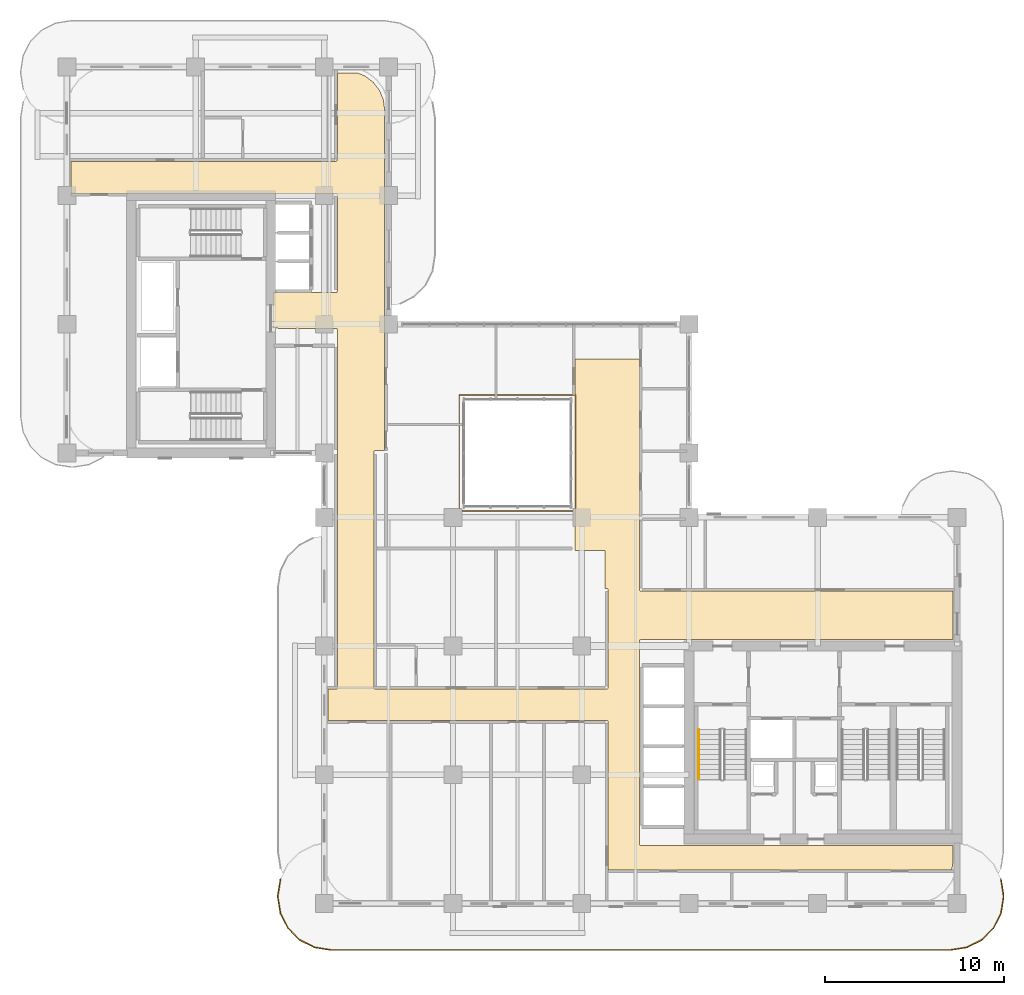
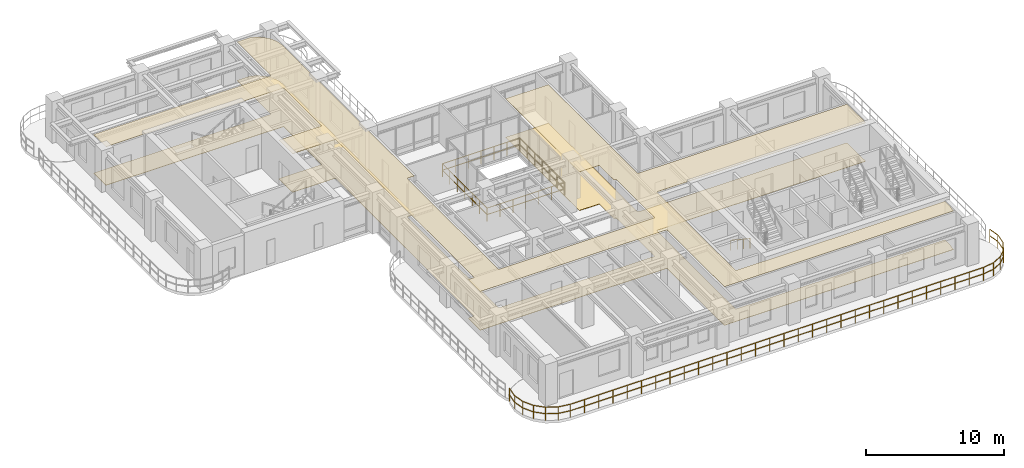
# One storey, part 18 of 20: 3 railings, 2 coverings.
"""IFC4 building model written with IfcOpenShell, lengths in metres."""

from ifc_helpers import new_model, si_unit, derived_unit, direction, frame, origin, origin_2d, place, context, subcontext, project, spatial, polyline, rectangle, outline, extrude, material, layer, layer_set, type_object, element, save


model = new_model("IFC4")

# Units and contexts
model_context = context("Model", 3, precision=1e-05, world=origin(), true_north=direction((0.0, 1.0)))
body_context = subcontext(model_context, "Body", "Model", "MODEL_VIEW")
ifc_project = project(units=[si_unit("LENGTHUNIT", "METRE"), si_unit("AREAUNIT", "SQUARE_METRE"), si_unit("VOLUMEUNIT", "CUBIC_METRE"), si_unit("PLANEANGLEUNIT", "RADIAN"), si_unit("MASSUNIT", "GRAM", prefix="KILO"), si_unit("THERMODYNAMICTEMPERATUREUNIT", "KELVIN"), si_unit("POWERUNIT", "WATT"), derived_unit("THERMALTRANSMITTANCEUNIT", [(si_unit("POWERUNIT", "WATT"), 1), (si_unit("AREAUNIT", "SQUARE_METRE"), -1), (si_unit("THERMODYNAMICTEMPERATUREUNIT", "KELVIN"), -1)])], contexts=[model_context])

# Site, building, storey
site_placement = place(None, origin())
site = spatial("IfcSite", under=ifc_project, at=site_placement, CompositionType="ELEMENT")
building_placement = place(site_placement, origin())
building = spatial("IfcBuilding", under=site, at=building_placement, Name="Zahravan Archway Hotel and Residences", CompositionType="ELEMENT")
storey_placement = place(building_placement, frame((0.0, 0.0, 137.699951171875)))
storey = spatial("IfcBuildingStorey", under=building, at=storey_placement, Name="L34", CompositionType="ELEMENT", Elevation=137.699951171875)

# Coverings
ifc_material_1 = material(Name="Perforated Acoustic Gypsum Ceiling")
ifc_layer_1 = layer(ifc_material_1, 0.02490234375, Name="Perforated Acoustic Gypsum Ceiling")
ifc_layer_set_1 = layer_set([ifc_layer_1], Name="Perforated Acoustic Gypsum Ceiling")
covering_type_1 = type_object("IfcCoveringType", Name="COV-CEIL-ACST", PredefinedType="CEILING", material=ifc_layer_set_1)
covering_1_placement = place(storey_placement, frame((0.0, 0.0, 3.425048828125)))
element("IfcCovering", 1, at=covering_1_placement, inside=storey, type_object=covering_type_1, Name="L34 Acoustic Corridor Ceiling", PredefinedType="CEILING", context=body_context, shape_type="SweptSolid", body=[
    extrude(outline(polyline([(32.08447265625, 14.75341796875), (32.04345703125, 14.731689453125), (32.021484375, 14.690673828125), (32.02001953125, 3.324951171875), (32.033447265625, 3.280517578125), (32.0693359375, 3.251220703125), (49.580078125, 3.2451171875), (49.580078125, 2.414306640625), (49.509521484375, 1.8798828125), (30.280029296875, 1.8798828125), (30.280029296875, 10.14990234375), (30.2666015625, 10.1943359375), (30.230712890625, 10.223876953125), (14.6201171875, 10.22998046875), (14.6201171875, 11.989990234375), (15.050048828125, 11.989990234375), (15.094482421875, 12.00341796875), (15.123779296875, 12.039306640625), (15.1298828125, 32.10009765625), (15.116455078125, 32.144287109375), (15.08056640625, 32.173828125), (11.530029296875, 32.179931640625), (11.530029296875, 34.169921875), (15.050048828125, 34.169921875), (15.094482421875, 34.18359375), (15.123779296875, 34.219482421875), (15.1298828125, 39.64990234375), (15.116455078125, 39.6943359375), (15.08056640625, 39.723876953125), (0.22998046875, 39.72998046875), (0.22998046875, 41.52001953125), (15.050048828125, 41.52001953125), (15.094482421875, 41.533447265625), (15.123779296875, 41.5693359375), (15.1298828125, 46.469970703125), (16.24560546875, 46.469970703125), (16.689208984375, 46.286376953125), (17.14013671875, 45.940185546875), (17.486328125, 45.489013671875), (17.703857421875, 44.9638671875), (17.77001953125, 44.46142578125), (17.77001953125, 25.330078125), (17.25, 25.330078125), (17.20556640625, 25.31640625), (17.176025390625, 25.280517578125), (17.169921875, 12.070068359375), (17.18359375, 12.025634765625), (17.219482421875, 11.99609375), (30.199951171875, 11.989990234375), (30.244384765625, 12.00341796875), (30.27392578125, 12.039306640625), (30.280029296875, 17.550048828125), (30.2666015625, 17.594482421875), (30.230712890625, 17.623779296875), (30.10009765625, 17.6298828125), (30.10009765625, 19.719970703125), (30.072998046875, 19.75), (28.429931640625, 19.75), (28.429931640625, 30.469970703125), (32.02001953125, 30.469970703125), (32.02001953125, 17.550048828125), (32.033447265625, 17.505615234375), (32.0693359375, 17.47607421875), (49.580078125, 17.469970703125), (49.580078125, 14.7548828125), (32.10009765625, 14.7548828125), (32.08447265625, 14.75341796875)])), origin(), (0.0, 0.0, 1.0), 0.02490234375),
])
ifc_material_2 = material(Name="Honed Margalla Limestone & Mortar Bed", Category="masonry")
ifc_layer_2 = layer(ifc_material_2, 0.030029296875, Name="Honed Margalla Limestone & Mortar Bed", Category="masonry")
ifc_layer_set_2 = layer_set([ifc_layer_2], Name="Honed Margalla Limestone & Mortar Bed")
covering_type_2 = type_object("IfcCoveringType", Name="COV-FLR-STONE", PredefinedType="FLOORING", material=ifc_layer_set_2)
covering_2_placement = place(storey_placement, origin())
element("IfcCovering", 2, at=covering_2_placement, inside=storey, type_object=covering_type_2, Name="L34 Circulation Floor Finish", PredefinedType="FLOORING", context=body_context, shape_type="SweptSolid", body=[
    extrude(outline(polyline([(32.08447265625, 14.75341796875), (32.04345703125, 14.731689453125), (32.021484375, 14.690673828125), (32.02001953125, 3.324951171875), (32.033447265625, 3.280517578125), (32.0693359375, 3.251220703125), (49.580078125, 3.2451171875), (49.580078125, 2.414306640625), (49.509521484375, 1.8798828125), (30.280029296875, 1.8798828125), (30.280029296875, 10.14990234375), (30.2666015625, 10.1943359375), (30.230712890625, 10.223876953125), (14.6201171875, 10.22998046875), (14.6201171875, 11.989990234375), (15.050048828125, 11.989990234375), (15.094482421875, 12.00341796875), (15.123779296875, 12.039306640625), (15.1298828125, 32.10009765625), (15.116455078125, 32.144287109375), (15.08056640625, 32.173828125), (11.530029296875, 32.179931640625), (11.530029296875, 34.169921875), (15.050048828125, 34.169921875), (15.094482421875, 34.18359375), (15.123779296875, 34.219482421875), (15.1298828125, 39.64990234375), (15.116455078125, 39.6943359375), (15.08056640625, 39.723876953125), (0.22998046875, 39.72998046875), (0.22998046875, 41.52001953125), (15.050048828125, 41.52001953125), (15.094482421875, 41.533447265625), (15.123779296875, 41.5693359375), (15.1298828125, 46.469970703125), (16.24560546875, 46.469970703125), (16.689208984375, 46.286376953125), (17.14013671875, 45.940185546875), (17.486328125, 45.489013671875), (17.703857421875, 44.9638671875), (17.77001953125, 44.46142578125), (17.77001953125, 25.330078125), (17.25, 25.330078125), (17.20556640625, 25.31640625), (17.176025390625, 25.280517578125), (17.169921875, 12.070068359375), (17.18359375, 12.025634765625), (17.219482421875, 11.99609375), (30.199951171875, 11.989990234375), (30.244384765625, 12.00341796875), (30.27392578125, 12.039306640625), (30.280029296875, 17.550048828125), (30.2666015625, 17.594482421875), (30.230712890625, 17.623779296875), (30.10009765625, 17.6298828125), (30.10009765625, 19.719970703125), (30.072998046875, 19.75), (28.429931640625, 19.75), (28.429931640625, 30.469970703125), (32.02001953125, 30.469970703125), (32.02001953125, 17.550048828125), (32.033447265625, 17.505615234375), (32.0693359375, 17.47607421875), (49.580078125, 17.469970703125), (49.580078125, 14.7548828125), (32.10009765625, 14.7548828125), (32.08447265625, 14.75341796875)])), origin(), (0.0, 0.0, 1.0), 0.030029296875),
])

# Railings
ifc_material_3 = material(Name="Atrium Laminated Glass Guardrail", Category="glass")
railing_type_1 = type_object("IfcRailingType", Name="RL-ATR-1200", PredefinedType="BALUSTRADE", material=ifc_material_3)
railing_1_placement = place(storey_placement, frame((21.949951171875, 21.949951171875, 0.0)))
element("IfcRailing", 3, at=railing_1_placement, inside=storey, type_object=railing_type_1, Name="L34 Balustrade RL-ATR-L34", PredefinedType="BALUSTRADE", context=body_context, shape_type="SweptSolid", body=[
    extrude(rectangle(XDim=0.048095703125, YDim=0.048095703125, at=origin_2d()), frame((0.0, 0.0, 1.17578125), z_axis=(1.0, 0.0, 0.0), x_axis=(0.0, 1.0, 0.0)), (0.0, 0.0, 1.0), 6.5),
    extrude(rectangle(XDim=0.048095703125, YDim=0.048095703125, at=origin_2d()), frame((0.0, 0.0, 0.60009765625), z_axis=(1.0, 0.0, 0.0), x_axis=(0.0, 1.0, 0.0)), (0.0, 0.0, 1.0), 6.5),
    extrude(rectangle(XDim=0.048095703125, YDim=0.048095703125, at=origin_2d()), frame((6.5, 0.0, 1.17578125), z_axis=(0.0, 1.0, 0.0), x_axis=(-1.0, 0.0, 0.0)), (0.0, 0.0, 1.0), 6.5),
    extrude(rectangle(XDim=0.048095703125, YDim=0.048095703125, at=origin_2d()), frame((6.5, 0.0, 0.60009765625), z_axis=(0.0, 1.0, 0.0), x_axis=(-1.0, 0.0, 0.0)), (0.0, 0.0, 1.0), 6.5),
    extrude(rectangle(XDim=0.048095703125, YDim=0.048095703125, at=origin_2d()), frame((6.5, 6.5, 1.17578125), z_axis=(-1.0, 0.0, 0.0), x_axis=(0.0, -1.0, 0.0)), (0.0, 0.0, 1.0), 6.5),
    extrude(rectangle(XDim=0.048095703125, YDim=0.048095703125, at=origin_2d()), frame((6.5, 6.5, 0.60009765625), z_axis=(-1.0, 0.0, 0.0), x_axis=(0.0, -1.0, 0.0)), (0.0, 0.0, 1.0), 6.5),
    extrude(rectangle(XDim=0.048095703125, YDim=0.048095703125, at=origin_2d()), frame((0.0, 6.5, 1.17578125), z_axis=(0.0, -1.0, 0.0), x_axis=(1.0, 0.0, 0.0)), (0.0, 0.0, 1.0), 6.5),
    extrude(rectangle(XDim=0.048095703125, YDim=0.048095703125, at=origin_2d()), frame((0.0, 6.5, 0.60009765625), z_axis=(0.0, -1.0, 0.0), x_axis=(1.0, 0.0, 0.0)), (0.0, 0.0, 1.0), 6.5),
    extrude(rectangle(XDim=0.0419921875, YDim=0.0419921875, at=origin_2d()), origin(), (0.0, 0.0, 1.0), 1.15185546875),
    extrude(rectangle(XDim=0.0419921875, YDim=0.0419921875, at=origin_2d()), frame((1.083251953125, 0.0, 0.0)), (0.0, 0.0, 1.0), 1.15185546875),
    extrude(rectangle(XDim=0.0419921875, YDim=0.0419921875, at=origin_2d()), frame((2.166748046875, 0.0, 0.0)), (0.0, 0.0, 1.0), 1.15185546875),
    extrude(rectangle(XDim=0.0419921875, YDim=0.0419921875, at=origin_2d()), frame((3.25, 0.0, 0.0)), (0.0, 0.0, 1.0), 1.15185546875),
    extrude(rectangle(XDim=0.0419921875, YDim=0.0419921875, at=origin_2d()), frame((4.333251953125, 0.0, 0.0)), (0.0, 0.0, 1.0), 1.15185546875),
    extrude(rectangle(XDim=0.0419921875, YDim=0.0419921875, at=origin_2d()), frame((5.416748046875, 0.0, 0.0)), (0.0, 0.0, 1.0), 1.15185546875),
    extrude(rectangle(XDim=0.0419921875, YDim=0.0419921875, at=origin_2d()), frame((6.5, 0.0, 0.0)), (0.0, 0.0, 1.0), 1.15185546875),
    extrude(rectangle(XDim=0.0419921875, YDim=0.0419921875, at=origin_2d()), frame((6.5, 1.083251953125, 0.0)), (0.0, 0.0, 1.0), 1.15185546875),
    extrude(rectangle(XDim=0.0419921875, YDim=0.0419921875, at=origin_2d()), frame((6.5, 2.166748046875, 0.0)), (0.0, 0.0, 1.0), 1.15185546875),
    extrude(rectangle(XDim=0.0419921875, YDim=0.0419921875, at=origin_2d()), frame((6.5, 3.25, 0.0)), (0.0, 0.0, 1.0), 1.15185546875),
    extrude(rectangle(XDim=0.0419921875, YDim=0.0419921875, at=origin_2d()), frame((6.5, 4.333251953125, 0.0)), (0.0, 0.0, 1.0), 1.15185546875),
    extrude(rectangle(XDim=0.0419921875, YDim=0.0419921875, at=origin_2d()), frame((6.5, 5.416748046875, 0.0)), (0.0, 0.0, 1.0), 1.15185546875),
    extrude(rectangle(XDim=0.0419921875, YDim=0.0419921875, at=origin_2d()), frame((6.5, 6.5, 0.0)), (0.0, 0.0, 1.0), 1.15185546875),
    extrude(rectangle(XDim=0.0419921875, YDim=0.0419921875, at=origin_2d()), frame((5.416748046875, 6.5, 0.0)), (0.0, 0.0, 1.0), 1.15185546875),
    extrude(rectangle(XDim=0.0419921875, YDim=0.0419921875, at=origin_2d()), frame((4.333251953125, 6.5, 0.0)), (0.0, 0.0, 1.0), 1.15185546875),
    extrude(rectangle(XDim=0.0419921875, YDim=0.0419921875, at=origin_2d()), frame((3.25, 6.5, 0.0)), (0.0, 0.0, 1.0), 1.15185546875),
    extrude(rectangle(XDim=0.0419921875, YDim=0.0419921875, at=origin_2d()), frame((2.166748046875, 6.5, 0.0)), (0.0, 0.0, 1.0), 1.15185546875),
    extrude(rectangle(XDim=0.0419921875, YDim=0.0419921875, at=origin_2d()), frame((1.083251953125, 6.5, 0.0)), (0.0, 0.0, 1.0), 1.15185546875),
    extrude(rectangle(XDim=0.0419921875, YDim=0.0419921875, at=origin_2d()), frame((0.0, 6.5, 0.0)), (0.0, 0.0, 1.0), 1.15185546875),
    extrude(rectangle(XDim=0.0419921875, YDim=0.0419921875, at=origin_2d()), frame((0.0, 5.416748046875, 0.0)), (0.0, 0.0, 1.0), 1.15185546875),
    extrude(rectangle(XDim=0.0419921875, YDim=0.0419921875, at=origin_2d()), frame((0.0, 4.333251953125, 0.0)), (0.0, 0.0, 1.0), 1.15185546875),
    extrude(rectangle(XDim=0.0419921875, YDim=0.0419921875, at=origin_2d()), frame((0.0, 3.25, 0.0)), (0.0, 0.0, 1.0), 1.15185546875),
    extrude(rectangle(XDim=0.0419921875, YDim=0.0419921875, at=origin_2d()), frame((0.0, 2.166748046875, 0.0)), (0.0, 0.0, 1.0), 1.15185546875),
    extrude(rectangle(XDim=0.0419921875, YDim=0.0419921875, at=origin_2d()), frame((0.0, 1.083251953125, 0.0)), (0.0, 0.0, 1.0), 1.15185546875),
])
ifc_material_4 = material(Name="Bronze & Laminated Glass Balustrade", Category="glass")
railing_type_2 = type_object("IfcRailingType", Name="RL-BAL-1200", PredefinedType="BALUSTRADE", material=ifc_material_4)
railing_2_placement = place(storey_placement, frame((52.255615234375, 1.361572265625, 0.0)))
element("IfcRailing", 4, at=railing_2_placement, inside=storey, type_object=railing_type_2, Name="L34 Balustrade RL-SLB-BAL-L34-SA-1", PredefinedType="BALUSTRADE", context=body_context, shape_type="SweptSolid", body=[
    extrude(rectangle(XDim=0.048095703125, YDim=0.048095703125, at=origin_2d()), frame((0.0, 0.0, 1.17578125), z_axis=(0.156329311416, -0.987704989555, 0.0), x_axis=(0.987704989555, 0.156329311416, 0.0)), (0.0, 0.0, 1.0), 0.9228515625),
    extrude(rectangle(XDim=0.048095703125, YDim=0.048095703125, at=origin_2d()), frame((0.0, 0.0, 0.60009765625), z_axis=(0.156329311416, -0.987704989555, 0.0), x_axis=(0.987704989555, 0.156329311416, 0.0)), (0.0, 0.0, 1.0), 0.9228515625),
    extrude(rectangle(XDim=0.048095703125, YDim=0.048095703125, at=origin_2d()), frame((0.144287109375, -0.91162109375, 1.17578125), z_axis=(0.0, -1.0, 0.0), x_axis=(1.0, 0.0, 0.0)), (0.0, 0.0, 1.0), 0.099853515625),
    extrude(rectangle(XDim=0.048095703125, YDim=0.048095703125, at=origin_2d()), frame((0.144287109375, -0.91162109375, 0.60009765625), z_axis=(0.0, -1.0, 0.0), x_axis=(1.0, 0.0, 0.0)), (0.0, 0.0, 1.0), 0.099853515625),
    extrude(rectangle(XDim=0.048095703125, YDim=0.048095703125, at=origin_2d()), frame((0.144287109375, -1.011474609375, 1.17578125), z_axis=(-0.156329311416, -0.987704989555, 0.0), x_axis=(0.987704989555, -0.156329311416, 0.0)), (0.0, 0.0, 1.0), 0.9228515625),
    extrude(rectangle(XDim=0.048095703125, YDim=0.048095703125, at=origin_2d()), frame((0.144287109375, -1.011474609375, 0.60009765625), z_axis=(-0.156329311416, -0.987704989555, 0.0), x_axis=(0.987704989555, -0.156329311416, 0.0)), (0.0, 0.0, 1.0), 0.9228515625),
    extrude(rectangle(XDim=0.048095703125, YDim=0.048095703125, at=origin_2d()), frame((0.0, -1.923095703125, 1.17578125), z_axis=(-0.453866348456, -0.891069771532, 0.0), x_axis=(0.891069771532, -0.453866348456, 0.0)), (0.0, 0.0, 1.0), 0.923095703125),
    extrude(rectangle(XDim=0.048095703125, YDim=0.048095703125, at=origin_2d()), frame((0.0, -1.923095703125, 0.60009765625), z_axis=(-0.453866348456, -0.891069771532, 0.0), x_axis=(0.891069771532, -0.453866348456, 0.0)), (0.0, 0.0, 1.0), 0.923095703125),
    extrude(rectangle(XDim=0.048095703125, YDim=0.048095703125, at=origin_2d()), frame((-0.4189453125, -2.74560546875, 1.17578125), z_axis=(-0.707106781187, -0.707106781187, 0.0), x_axis=(0.707106781187, -0.707106781187, 0.0)), (0.0, 0.0, 1.0), 0.9228515625),
    extrude(rectangle(XDim=0.048095703125, YDim=0.048095703125, at=origin_2d()), frame((-0.4189453125, -2.74560546875, 0.60009765625), z_axis=(-0.707106781187, -0.707106781187, 0.0), x_axis=(0.707106781187, -0.707106781187, 0.0)), (0.0, 0.0, 1.0), 0.9228515625),
    extrude(rectangle(XDim=0.048095703125, YDim=0.048095703125, at=origin_2d()), frame((-1.071533203125, -3.398193359375, 1.17578125), z_axis=(-0.891069771532, -0.453866348456, 0.0), x_axis=(0.453866348456, -0.891069771532, 0.0)), (0.0, 0.0, 1.0), 0.923095703125),
    extrude(rectangle(XDim=0.048095703125, YDim=0.048095703125, at=origin_2d()), frame((-1.071533203125, -3.398193359375, 0.60009765625), z_axis=(-0.891069771532, -0.453866348456, 0.0), x_axis=(0.453866348456, -0.891069771532, 0.0)), (0.0, 0.0, 1.0), 0.923095703125),
    extrude(rectangle(XDim=0.048095703125, YDim=0.048095703125, at=origin_2d()), frame((-1.89404296875, -3.817138671875, 1.17578125), z_axis=(-0.98766411426, -0.156587347521, 0.0), x_axis=(0.156587347521, -0.98766411426, 0.0)), (0.0, 0.0, 1.0), 0.923095703125),
    extrude(rectangle(XDim=0.048095703125, YDim=0.048095703125, at=origin_2d()), frame((-1.89404296875, -3.817138671875, 0.60009765625), z_axis=(-0.98766411426, -0.156587347521, 0.0), x_axis=(0.156587347521, -0.98766411426, 0.0)), (0.0, 0.0, 1.0), 0.923095703125),
    extrude(rectangle(XDim=0.048095703125, YDim=0.048095703125, at=origin_2d()), frame((-2.8056640625, -3.961669921875, 1.17578125), z_axis=(-1.0, 0.0, 0.0), x_axis=(0.0, -1.0, 0.0)), (0.0, 0.0, 1.0), 34.699951171875),
    extrude(rectangle(XDim=0.048095703125, YDim=0.048095703125, at=origin_2d()), frame((-2.8056640625, -3.961669921875, 0.60009765625), z_axis=(-1.0, 0.0, 0.0), x_axis=(0.0, -1.0, 0.0)), (0.0, 0.0, 1.0), 34.699951171875),
    extrude(rectangle(XDim=0.048095703125, YDim=0.048095703125, at=origin_2d()), frame((-37.505615234375, -3.961669921875, 1.17578125), z_axis=(-0.98766411426, 0.156587347521, 0.0), x_axis=(-0.156587347521, -0.98766411426, 0.0)), (0.0, 0.0, 1.0), 0.923095703125),
    extrude(rectangle(XDim=0.048095703125, YDim=0.048095703125, at=origin_2d()), frame((-37.505615234375, -3.961669921875, 0.60009765625), z_axis=(-0.98766411426, 0.156587347521, 0.0), x_axis=(-0.156587347521, -0.98766411426, 0.0)), (0.0, 0.0, 1.0), 0.923095703125),
    extrude(rectangle(XDim=0.048095703125, YDim=0.048095703125, at=origin_2d()), frame((-38.417236328125, -3.817138671875, 1.17578125), z_axis=(-0.891015268556, 0.453973337542, 0.0), x_axis=(-0.453973337542, -0.891015268556, 0.0)), (0.0, 0.0, 1.0), 0.9228515625),
    extrude(rectangle(XDim=0.048095703125, YDim=0.048095703125, at=origin_2d()), frame((-38.417236328125, -3.817138671875, 0.60009765625), z_axis=(-0.891015268556, 0.453973337542, 0.0), x_axis=(-0.453973337542, -0.891015268556, 0.0)), (0.0, 0.0, 1.0), 0.9228515625),
    extrude(rectangle(XDim=0.048095703125, YDim=0.048095703125, at=origin_2d()), frame((-39.239501953125, -3.398193359375, 1.17578125), z_axis=(-0.707239012465, 0.706974525176, 0.0), x_axis=(-0.706974525176, -0.707239012465, 0.0)), (0.0, 0.0, 1.0), 0.923095703125),
    extrude(rectangle(XDim=0.048095703125, YDim=0.048095703125, at=origin_2d()), frame((-39.239501953125, -3.398193359375, 0.60009765625), z_axis=(-0.707239012465, 0.706974525176, 0.0), x_axis=(-0.706974525176, -0.707239012465, 0.0)), (0.0, 0.0, 1.0), 0.923095703125),
    extrude(rectangle(XDim=0.048095703125, YDim=0.048095703125, at=origin_2d()), frame((-39.892333984375, -2.74560546875, 1.17578125), z_axis=(-0.453866348456, 0.891069771532, 0.0), x_axis=(-0.891069771532, -0.453866348456, 0.0)), (0.0, 0.0, 1.0), 0.923095703125),
    extrude(rectangle(XDim=0.048095703125, YDim=0.048095703125, at=origin_2d()), frame((-39.892333984375, -2.74560546875, 0.60009765625), z_axis=(-0.453866348456, 0.891069771532, 0.0), x_axis=(-0.891069771532, -0.453866348456, 0.0)), (0.0, 0.0, 1.0), 0.923095703125),
    extrude(rectangle(XDim=0.048095703125, YDim=0.048095703125, at=origin_2d()), frame((-40.311279296875, -1.923095703125, 1.17578125), z_axis=(-0.156329311416, 0.987704989555, 0.0), x_axis=(-0.987704989555, -0.156329311416, 0.0)), (0.0, 0.0, 1.0), 0.9228515625),
    extrude(rectangle(XDim=0.048095703125, YDim=0.048095703125, at=origin_2d()), frame((-40.311279296875, -1.923095703125, 0.60009765625), z_axis=(-0.156329311416, 0.987704989555, 0.0), x_axis=(-0.987704989555, -0.156329311416, 0.0)), (0.0, 0.0, 1.0), 0.9228515625),
    extrude(rectangle(XDim=0.048095703125, YDim=0.048095703125, at=origin_2d()), frame((-40.45556640625, -1.011474609375, 1.17578125), z_axis=(0.0, 1.0, 0.0), x_axis=(-1.0, 0.0, 0.0)), (0.0, 0.0, 1.0), 0.099853515625),
    extrude(rectangle(XDim=0.048095703125, YDim=0.048095703125, at=origin_2d()), frame((-40.45556640625, -1.011474609375, 0.60009765625), z_axis=(0.0, 1.0, 0.0), x_axis=(-1.0, 0.0, 0.0)), (0.0, 0.0, 1.0), 0.099853515625),
    extrude(rectangle(XDim=0.048095703125, YDim=0.048095703125, at=origin_2d()), frame((-40.45556640625, -0.91162109375, 1.17578125), z_axis=(0.156329311416, 0.987704989555, 0.0), x_axis=(-0.987704989555, 0.156329311416, 0.0)), (0.0, 0.0, 1.0), 0.9228515625),
    extrude(rectangle(XDim=0.048095703125, YDim=0.048095703125, at=origin_2d()), frame((-40.45556640625, -0.91162109375, 0.60009765625), z_axis=(0.156329311416, 0.987704989555, 0.0), x_axis=(-0.987704989555, 0.156329311416, 0.0)), (0.0, 0.0, 1.0), 0.9228515625),
    extrude(rectangle(XDim=0.0419921875, YDim=0.0419921875, at=origin_2d()), origin(), (0.0, 0.0, 1.0), 1.15185546875),
    extrude(rectangle(XDim=0.0419921875, YDim=0.0419921875, at=origin_2d()), frame((0.144287109375, -0.91162109375, 0.0)), (0.0, 0.0, 1.0), 1.15185546875),
    extrude(rectangle(XDim=0.0419921875, YDim=0.0419921875, at=origin_2d()), frame((0.0, -1.923095703125, 0.0)), (0.0, 0.0, 1.0), 1.15185546875),
    extrude(rectangle(XDim=0.0419921875, YDim=0.0419921875, at=origin_2d()), frame((-0.4189453125, -2.74560546875, 0.0)), (0.0, 0.0, 1.0), 1.15185546875),
    extrude(rectangle(XDim=0.0419921875, YDim=0.0419921875, at=origin_2d()), frame((-1.071533203125, -3.398193359375, 0.0)), (0.0, 0.0, 1.0), 1.15185546875),
    extrude(rectangle(XDim=0.0419921875, YDim=0.0419921875, at=origin_2d()), frame((-1.89404296875, -3.817138671875, 0.0)), (0.0, 0.0, 1.0), 1.15185546875),
    extrude(rectangle(XDim=0.0419921875, YDim=0.0419921875, at=origin_2d()), frame((-2.8056640625, -3.961669921875, 0.0)), (0.0, 0.0, 1.0), 1.15185546875),
    extrude(rectangle(XDim=0.0419921875, YDim=0.0419921875, at=origin_2d()), frame((-4.002197265625, -3.961669921875, 0.0)), (0.0, 0.0, 1.0), 1.15185546875),
    extrude(rectangle(XDim=0.0419921875, YDim=0.0419921875, at=origin_2d()), frame((-5.19873046875, -3.961669921875, 0.0)), (0.0, 0.0, 1.0), 1.15185546875),
    extrude(rectangle(XDim=0.0419921875, YDim=0.0419921875, at=origin_2d()), frame((-6.395263671875, -3.961669921875, 0.0)), (0.0, 0.0, 1.0), 1.15185546875),
    extrude(rectangle(XDim=0.0419921875, YDim=0.0419921875, at=origin_2d()), frame((-7.591796875, -3.961669921875, 0.0)), (0.0, 0.0, 1.0), 1.15185546875),
    extrude(rectangle(XDim=0.0419921875, YDim=0.0419921875, at=origin_2d()), frame((-8.788330078125, -3.961669921875, 0.0)), (0.0, 0.0, 1.0), 1.15185546875),
    extrude(rectangle(XDim=0.0419921875, YDim=0.0419921875, at=origin_2d()), frame((-9.98486328125, -3.961669921875, 0.0)), (0.0, 0.0, 1.0), 1.15185546875),
    extrude(rectangle(XDim=0.0419921875, YDim=0.0419921875, at=origin_2d()), frame((-11.181396484375, -3.961669921875, 0.0)), (0.0, 0.0, 1.0), 1.15185546875),
    extrude(rectangle(XDim=0.0419921875, YDim=0.0419921875, at=origin_2d()), frame((-12.378173828125, -3.961669921875, 0.0)), (0.0, 0.0, 1.0), 1.15185546875),
    extrude(rectangle(XDim=0.0419921875, YDim=0.0419921875, at=origin_2d()), frame((-13.57470703125, -3.961669921875, 0.0)), (0.0, 0.0, 1.0), 1.15185546875),
    extrude(rectangle(XDim=0.0419921875, YDim=0.0419921875, at=origin_2d()), frame((-14.771240234375, -3.961669921875, 0.0)), (0.0, 0.0, 1.0), 1.15185546875),
    extrude(rectangle(XDim=0.0419921875, YDim=0.0419921875, at=origin_2d()), frame((-15.9677734375, -3.961669921875, 0.0)), (0.0, 0.0, 1.0), 1.15185546875),
    extrude(rectangle(XDim=0.0419921875, YDim=0.0419921875, at=origin_2d()), frame((-17.164306640625, -3.961669921875, 0.0)), (0.0, 0.0, 1.0), 1.15185546875),
    extrude(rectangle(XDim=0.0419921875, YDim=0.0419921875, at=origin_2d()), frame((-18.36083984375, -3.961669921875, 0.0)), (0.0, 0.0, 1.0), 1.15185546875),
    extrude(rectangle(XDim=0.0419921875, YDim=0.0419921875, at=origin_2d()), frame((-19.557373046875, -3.961669921875, 0.0)), (0.0, 0.0, 1.0), 1.15185546875),
    extrude(rectangle(XDim=0.0419921875, YDim=0.0419921875, at=origin_2d()), frame((-20.75390625, -3.961669921875, 0.0)), (0.0, 0.0, 1.0), 1.15185546875),
    extrude(rectangle(XDim=0.0419921875, YDim=0.0419921875, at=origin_2d()), frame((-21.950439453125, -3.961669921875, 0.0)), (0.0, 0.0, 1.0), 1.15185546875),
    extrude(rectangle(XDim=0.0419921875, YDim=0.0419921875, at=origin_2d()), frame((-23.14697265625, -3.961669921875, 0.0)), (0.0, 0.0, 1.0), 1.15185546875),
    extrude(rectangle(XDim=0.0419921875, YDim=0.0419921875, at=origin_2d()), frame((-24.343505859375, -3.961669921875, 0.0)), (0.0, 0.0, 1.0), 1.15185546875),
    extrude(rectangle(XDim=0.0419921875, YDim=0.0419921875, at=origin_2d()), frame((-25.5400390625, -3.961669921875, 0.0)), (0.0, 0.0, 1.0), 1.15185546875),
    extrude(rectangle(XDim=0.0419921875, YDim=0.0419921875, at=origin_2d()), frame((-26.736572265625, -3.961669921875, 0.0)), (0.0, 0.0, 1.0), 1.15185546875),
    extrude(rectangle(XDim=0.0419921875, YDim=0.0419921875, at=origin_2d()), frame((-27.93310546875, -3.961669921875, 0.0)), (0.0, 0.0, 1.0), 1.15185546875),
    extrude(rectangle(XDim=0.0419921875, YDim=0.0419921875, at=origin_2d()), frame((-29.1298828125, -3.961669921875, 0.0)), (0.0, 0.0, 1.0), 1.15185546875),
    extrude(rectangle(XDim=0.0419921875, YDim=0.0419921875, at=origin_2d()), frame((-30.326416015625, -3.961669921875, 0.0)), (0.0, 0.0, 1.0), 1.15185546875),
    extrude(rectangle(XDim=0.0419921875, YDim=0.0419921875, at=origin_2d()), frame((-31.52294921875, -3.961669921875, 0.0)), (0.0, 0.0, 1.0), 1.15185546875),
    extrude(rectangle(XDim=0.0419921875, YDim=0.0419921875, at=origin_2d()), frame((-32.719482421875, -3.961669921875, 0.0)), (0.0, 0.0, 1.0), 1.15185546875),
    extrude(rectangle(XDim=0.0419921875, YDim=0.0419921875, at=origin_2d()), frame((-33.916015625, -3.961669921875, 0.0)), (0.0, 0.0, 1.0), 1.15185546875),
    extrude(rectangle(XDim=0.0419921875, YDim=0.0419921875, at=origin_2d()), frame((-35.112548828125, -3.961669921875, 0.0)), (0.0, 0.0, 1.0), 1.15185546875),
    extrude(rectangle(XDim=0.0419921875, YDim=0.0419921875, at=origin_2d()), frame((-36.30908203125, -3.961669921875, 0.0)), (0.0, 0.0, 1.0), 1.15185546875),
    extrude(rectangle(XDim=0.0419921875, YDim=0.0419921875, at=origin_2d()), frame((-37.505615234375, -3.961669921875, 0.0)), (0.0, 0.0, 1.0), 1.15185546875),
    extrude(rectangle(XDim=0.0419921875, YDim=0.0419921875, at=origin_2d()), frame((-38.417236328125, -3.817138671875, 0.0)), (0.0, 0.0, 1.0), 1.15185546875),
    extrude(rectangle(XDim=0.0419921875, YDim=0.0419921875, at=origin_2d()), frame((-39.239501953125, -3.398193359375, 0.0)), (0.0, 0.0, 1.0), 1.15185546875),
    extrude(rectangle(XDim=0.0419921875, YDim=0.0419921875, at=origin_2d()), frame((-39.892333984375, -2.74560546875, 0.0)), (0.0, 0.0, 1.0), 1.15185546875),
    extrude(rectangle(XDim=0.0419921875, YDim=0.0419921875, at=origin_2d()), frame((-40.311279296875, -1.923095703125, 0.0)), (0.0, 0.0, 1.0), 1.15185546875),
    extrude(rectangle(XDim=0.0419921875, YDim=0.0419921875, at=origin_2d()), frame((-40.45556640625, -1.011474609375, 0.0)), (0.0, 0.0, 1.0), 1.15185546875),
    extrude(rectangle(XDim=0.0419921875, YDim=0.0419921875, at=origin_2d()), frame((-40.311279296875, 0.0, 0.0)), (0.0, 0.0, 1.0), 1.15185546875),
])
ifc_material_5 = material(Name="Brushed Stainless Steel", Category="steel")
railing_type_3 = type_object("IfcRailingType", Name="RL-STH-900", PredefinedType="HANDRAIL", material=ifc_material_5)
railing_3_placement = place(storey_placement, frame((35.35009765625, 9.72998046875, 0.168212890625)))
element("IfcRailing", 5, at=railing_3_placement, inside=storey, type_object=railing_type_3, Name="L34 ST-A1 stair handrail 1", PredefinedType="HANDRAIL", context=body_context, shape_type="SweptSolid", body=[
    extrude(rectangle(XDim=0.048095703125, YDim=0.048095703125, at=origin_2d()), frame((0.0, 0.0, 0.8759765625), z_axis=(0.0, -0.834326358476, 0.551270829586), x_axis=(1.0, 0.0, 0.0)), (0.0, 0.0, 1.0), 3.35595703125),
    extrude(rectangle(XDim=0.0419921875, YDim=0.0419921875, at=origin_2d()), origin(), (0.0, 0.0, 1.0), 0.851806640625),
    extrude(rectangle(XDim=0.0419921875, YDim=0.0419921875, at=origin_2d()), frame((0.0, -0.933349609375, 0.61669921875)), (0.0, 0.0, 1.0), 0.851806640625),
    extrude(rectangle(XDim=0.0419921875, YDim=0.0419921875, at=origin_2d()), frame((0.0, -1.86669921875, 1.2333984375)), (0.0, 0.0, 1.0), 0.851806640625),
    extrude(rectangle(XDim=0.0419921875, YDim=0.0419921875, at=origin_2d()), frame((0.0, -2.800048828125, 1.85009765625)), (0.0, 0.0, 1.0), 0.851806640625),
])

save(model, "model.ifc")
